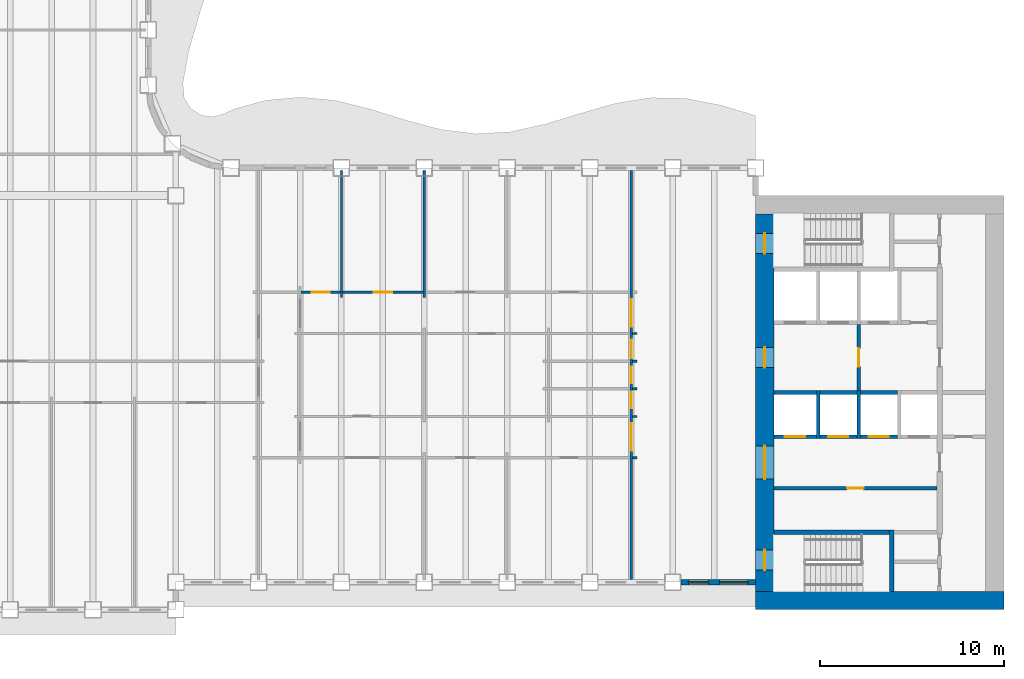
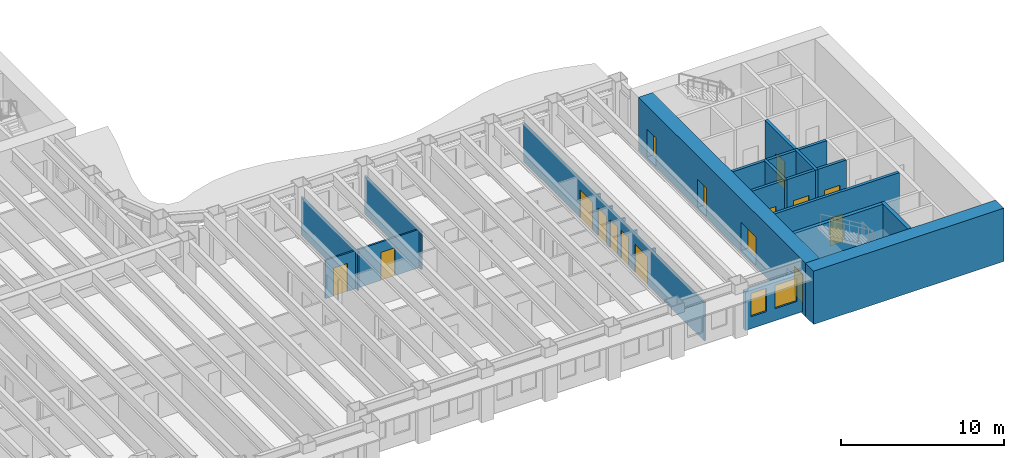
# One storey, part 6 of 16: 25 walls, 16 doors, 2 windows, 18 openings.
"""IFC4 building model written with IfcOpenShell, lengths in metres."""

from ifc_helpers import new_model, si_unit, direction, frame, frame_2d, origin, place, context, subcontext, project, spatial, rectangle, extrude, material, layer, layer_set, type_object, element, fill, save


model = new_model("IFC4")

# Units and contexts
model_context = context("Model", 3, precision=1e-05, world=origin(), true_north=direction((0.0, 1.0)))
body_context = subcontext(model_context, "Body", "Model", "MODEL_VIEW")
ifc_project = project(units=[si_unit("LENGTHUNIT", "METRE"), si_unit("AREAUNIT", "SQUARE_METRE"), si_unit("VOLUMEUNIT", "CUBIC_METRE"), si_unit("PLANEANGLEUNIT", "RADIAN"), si_unit("MASSUNIT", "GRAM", prefix="KILO")], contexts=[model_context])

# Site, building, storey
site_placement = place(None, origin())
site = spatial("IfcSite", under=ifc_project, at=site_placement, CompositionType="ELEMENT")
building_placement = place(site_placement, origin())
building = spatial("IfcBuilding", under=site, at=building_placement, Name="Sennacour Bend Tower", CompositionType="ELEMENT")
storey_placement = place(building_placement, frame((0.0, 0.0, 175.0)))
storey = spatial("IfcBuildingStorey", under=building, at=storey_placement, Name="L40", CompositionType="ELEMENT", Elevation=175.0)

# Wall
ifc_material_1 = material(Name="Concrete C60/75", Category="concrete")
ifc_layer_1 = layer(ifc_material_1, 1.0, Name="Concrete C60/75", Category="concrete")
ifc_layer_set_1 = layer_set([ifc_layer_1], Name="Concrete C60/75")
wall_type_1 = type_object("IfcWallType", Name="Core wall 1000 C60/75", PredefinedType="SHEAR", material=ifc_layer_set_1)
wall_1_placement = place(storey_placement, frame((67.5, 0.5, -0.14990234375), z_axis=(0.0, 0.0, 1.0), x_axis=(-1.0, 0.0, 0.0)))
element("IfcWall", 1, at=wall_1_placement, inside=storey, type_object=wall_type_1, Name="Core A wall L40 S", PredefinedType="SHEAR", context=body_context, shape_type="SweptSolid", body=[
    extrude(rectangle(XDim=13.5, YDim=1.0, at=frame_2d((6.75, 0.0))), origin(), (0.0, 0.0, 1.0), 4.0),
])

# Wall, openings, doors
wall_2_placement = place(storey_placement, frame((54.5, 1.0, -0.14990234375), z_axis=(0.0, 0.0, 1.0), x_axis=(0.0, 1.0, 0.0)))
wall_2 = element("IfcWall", 2, at=wall_2_placement, inside=storey, type_object=wall_type_1, Name="Core A wall L40 W", PredefinedType="SHEAR", context=body_context, shape_type="SweptSolid", body=[
    extrude(rectangle(XDim=20.5, YDim=1.0, at=frame_2d((10.25, 0.0))), origin(), (0.0, 0.0, 1.0), 4.0),
])
opening_1_placement = place(wall_2_placement, frame((6.10009765625, 0.0, 0.14990234375)))
opening_1 = element("IfcOpeningElement", 3, at=opening_1_placement, cuts=wall_2, Name="Opening CD", PredefinedType="OPENING", context=body_context, shape_type="SweptSolid", body=[
    extrude(rectangle(XDim=1.800048828125, YDim=2.10009765625, at=frame_2d((0.89990234375, 1.050048828125))), frame((0.0, 0.510009765625, 0.0), z_axis=(0.0, -1.0, 0.0), x_axis=(1.0, 0.0, 0.0)), (0.0, 0.0, 1.0), 1.02001953125),
])
opening_2_placement = place(wall_2_placement, frame((12.14990234375, 0.0, 0.14990234375)))
opening_2 = element("IfcOpeningElement", 4, at=opening_2_placement, cuts=wall_2, Name="Opening FD", PredefinedType="OPENING", context=body_context, shape_type="SweptSolid", body=[
    extrude(rectangle(XDim=1.10009765625, YDim=2.10009765625, at=frame_2d((0.550048828125, 1.050048828125))), frame((0.0, 0.510009765625, 0.0), z_axis=(0.0, -1.0, 0.0), x_axis=(1.0, 0.0, 0.0)), (0.0, 0.0, 1.0), 1.02001953125),
])
opening_3_placement = place(wall_2_placement, frame((1.14990234375, 0.0, 0.14990234375)))
opening_3 = element("IfcOpeningElement", 5, at=opening_3_placement, cuts=wall_2, Name="Opening SD", PredefinedType="OPENING", context=body_context, shape_type="SweptSolid", body=[
    extrude(rectangle(XDim=1.10009765625, YDim=2.10009765625, at=frame_2d((0.550048828125, 1.050048828125))), frame((0.0, 0.510009765625, 0.0), z_axis=(0.0, -1.0, 0.0), x_axis=(1.0, 0.0, 0.0)), (0.0, 0.0, 1.0), 1.02001953125),
])
opening_4_placement = place(wall_2_placement, frame((18.35009765625, 0.0, 0.14990234375)))
opening_4 = element("IfcOpeningElement", 6, at=opening_4_placement, cuts=wall_2, Name="Opening SD", PredefinedType="OPENING", context=body_context, shape_type="SweptSolid", body=[
    extrude(rectangle(XDim=1.10009765625, YDim=2.10009765625, at=frame_2d((0.550048828125, 1.050048828125))), frame((0.0, 0.510009765625, 0.0), z_axis=(0.0, -1.0, 0.0), x_axis=(1.0, 0.0, 0.0)), (0.0, 0.0, 1.0), 1.02001953125),
])
ifc_material_2 = material(Name="Painted steel", Category="steel")
door_type_1 = type_object("IfcDoorType", Name="DR-FFL-1100", OperationType="NOTDEFINED", PredefinedType="DOOR", material=ifc_material_2)
door_1_placement = place(opening_2_placement, origin())
door_1 = element("IfcDoor", 7, at=door_1_placement, inside=storey, type_object=door_type_1, Name="Door", OperationType="SINGLE_SWING_RIGHT", OverallHeight=2.10009765625, OverallWidth=1.10009765625, PredefinedType="DOOR", context=body_context, shape_type="SweptSolid", body=[
    extrude(rectangle(XDim=1.10009765625, YDim=2.10009765625, at=frame_2d((0.550048828125, 1.050048828125))), frame((0.0, 0.02490234375, 0.0), z_axis=(0.0, -1.0, 0.0), x_axis=(1.0, 0.0, 0.0)), (0.0, 0.0, 1.0), 0.050048828125),
])
fill(opening_2, door_1)
door_type_2 = type_object("IfcDoorType", Name="DR-LOBBY-1800", OperationType="NOTDEFINED", PredefinedType="DOOR", material=ifc_material_2)
door_2_placement = place(opening_1_placement, origin())
door_2 = element("IfcDoor", 8, at=door_2_placement, inside=storey, type_object=door_type_2, Name="Door", OperationType="DOUBLE_DOOR_SINGLE_SWING", OverallHeight=2.10009765625, OverallWidth=1.800048828125, PredefinedType="DOOR", context=body_context, shape_type="SweptSolid", body=[
    extrude(rectangle(XDim=1.800048828125, YDim=2.10009765625, at=frame_2d((0.89990234375, 1.050048828125))), frame((0.0, 0.02490234375, 0.0), z_axis=(0.0, -1.0, 0.0), x_axis=(1.0, 0.0, 0.0)), (0.0, 0.0, 1.0), 0.050048828125),
])
fill(opening_1, door_2)
door_type_3 = type_object("IfcDoorType", Name="DR-STAIR-1100", OperationType="NOTDEFINED", PredefinedType="DOOR", material=ifc_material_2)
door_3_placement = place(opening_3_placement, origin())
door_3 = element("IfcDoor", 9, at=door_3_placement, inside=storey, type_object=door_type_3, Name="Door", OperationType="SINGLE_SWING_LEFT", OverallHeight=2.10009765625, OverallWidth=1.10009765625, PredefinedType="DOOR", context=body_context, shape_type="SweptSolid", body=[
    extrude(rectangle(XDim=1.10009765625, YDim=2.10009765625, at=frame_2d((0.550048828125, 1.050048828125))), frame((0.0, 0.02490234375, 0.0), z_axis=(0.0, -1.0, 0.0), x_axis=(1.0, 0.0, 0.0)), (0.0, 0.0, 1.0), 0.050048828125),
])
fill(opening_3, door_3)
door_4_placement = place(opening_4_placement, origin())
door_4 = element("IfcDoor", 10, at=door_4_placement, inside=storey, type_object=door_type_3, Name="Door", OperationType="SINGLE_SWING_RIGHT", OverallHeight=2.10009765625, OverallWidth=1.10009765625, PredefinedType="DOOR", context=body_context, shape_type="SweptSolid", body=[
    extrude(rectangle(XDim=1.10009765625, YDim=2.10009765625, at=frame_2d((0.550048828125, 1.050048828125))), frame((0.0, 0.02490234375, 0.0), z_axis=(0.0, -1.0, 0.0), x_axis=(1.0, 0.0, 0.0)), (0.0, 0.0, 1.0), 0.050048828125),
])
fill(opening_4, door_4)

# Walls
ifc_material_3 = material(Name="Plasterboard partition on steel studs", Category="steel")
ifc_layer_2 = layer(ifc_material_3, 0.1201171875, Name="Plasterboard partition on steel studs", Category="steel")
ifc_layer_set_2 = layer_set([ifc_layer_2], Name="Plasterboard partition on steel studs")
wall_type_2 = type_object("IfcWallType", Name="Partition 120", PredefinedType="PARTITIONING", material=ifc_layer_set_2)
for number, where, z_axis, x_axis, name in (
    (11, (31.5, 16.949951171875, 0.0), (0.0, 0.0, 1.0), (0.0, 1.0, 0.0), "P-L40-W029a"),
    (12, (36.0, 16.949951171875, 0.0), (0.0, 0.0, 1.0), (0.0, 1.0, 0.0), "P-L40-W032a"),
):
    element("IfcWall", number, at=place(storey_placement, frame(where, z_axis=z_axis, x_axis=x_axis)), inside=storey, type_object=wall_type_2, Name=name, PredefinedType="PARTITIONING", context=body_context, shape_type="SweptSolid", body=[
        extrude(rectangle(XDim=6.900146484375, YDim=0.1201171875, at=frame_2d((3.4501953125, 0.0))), origin(), (0.0, 0.0, 1.0), 2.8701171875),
    ])
for number, where, z_axis, x_axis, name in (
    (13, (47.31005859375, 8.25, 0.0), (0.0, 0.0, 1.0), (1.0, 0.0, 0.0), "P-L40-W060af"),
    (14, (47.31005859375, 10.5, 0.0), (0.0, 0.0, 1.0), (1.0, 0.0, 0.0), "P-L40-W063ae"),
    (15, (47.31005859375, 12.0, 0.0), (0.0, 0.0, 1.0), (1.0, 0.0, 0.0), "P-L40-W067ac"),
    (16, (47.31005859375, 13.5, 0.0), (0.0, 0.0, 1.0), (1.0, 0.0, 0.0), "P-L40-W069ac"),
    (17, (47.31005859375, 15.0, 0.0), (0.0, 0.0, 1.0), (1.0, 0.0, 0.0), "P-L40-W070ae"),
):
    element("IfcWall", number, at=place(storey_placement, frame(where, z_axis=z_axis, x_axis=x_axis)), inside=storey, type_object=wall_type_2, Name=name, PredefinedType="PARTITIONING", context=body_context, shape_type="SweptSolid", body=[
        extrude(rectangle(XDim=0.239990234375, YDim=0.1201171875, at=frame_2d((0.1201171875, 0.0))), origin(), (0.0, 0.0, 1.0), 2.8701171875),
    ])

# Wall, opening, door
wall_3_placement = place(storey_placement, frame((29.31005859375, 17.25, 0.0), z_axis=(0.0, 0.0, 1.0), x_axis=(1.0, 0.0, 0.0)))
wall_3 = element("IfcWall", 18, at=wall_3_placement, inside=storey, type_object=wall_type_2, Name="P-L40-W073ac", PredefinedType="PARTITIONING", context=body_context, shape_type="SweptSolid", body=[
    extrude(rectangle(XDim=2.1298828125, YDim=0.1201171875, at=frame_2d((1.06494140625, 0.0))), origin(), (0.0, 0.0, 1.0), 2.8701171875),
])
opening_5_placement = place(wall_3_placement, frame((0.56494140625, 0.0, 0.0)))
opening_5 = element("IfcOpeningElement", 19, at=opening_5_placement, cuts=wall_3, Name="Opening OD2", PredefinedType="OPENING", context=body_context, shape_type="SweptSolid", body=[
    extrude(rectangle(XDim=1.0, YDim=2.10009765625, at=frame_2d((0.5, 1.050048828125))), frame((0.0, 0.070068359375, 0.0), z_axis=(0.0, -1.0, 0.0), x_axis=(1.0, 0.0, 0.0)), (0.0, 0.0, 1.0), 0.14013671875),
])
ifc_material_4 = material(Name="Timber", Category="wood")
door_type_4 = type_object("IfcDoorType", Name="DR-OFFICE-1000", OperationType="NOTDEFINED", PredefinedType="DOOR", material=ifc_material_4)
door_5_placement = place(opening_5_placement, origin())
door_5 = element("IfcDoor", 20, at=door_5_placement, inside=storey, type_object=door_type_4, Name="Door", OperationType="SINGLE_SWING_LEFT", OverallHeight=2.10009765625, OverallWidth=1.0, PredefinedType="DOOR", context=body_context, shape_type="SweptSolid", body=[
    extrude(rectangle(XDim=1.0, YDim=2.10009765625, at=frame_2d((0.5, 1.050048828125))), frame((0.0, 0.02490234375, 0.0), z_axis=(0.0, -1.0, 0.0), x_axis=(1.0, 0.0, 0.0)), (0.0, 0.0, 1.0), 0.050048828125),
])
fill(opening_5, door_5)

wall_4_placement = place(storey_placement, frame((31.56005859375, 17.25, 0.0), z_axis=(0.0, 0.0, 1.0), x_axis=(1.0, 0.0, 0.0)))
wall_4 = element("IfcWall", 21, at=wall_4_placement, inside=storey, type_object=wall_type_2, Name="P-L40-W073ad", PredefinedType="PARTITIONING", context=body_context, shape_type="SweptSolid", body=[
    extrude(rectangle(XDim=4.3798828125, YDim=0.1201171875, at=frame_2d((2.18994140625, 0.0))), origin(), (0.0, 0.0, 1.0), 2.8701171875),
])
opening_6_placement = place(wall_4_placement, frame((1.68994140625, 0.0, 0.0)))
opening_6 = element("IfcOpeningElement", 22, at=opening_6_placement, cuts=wall_4, Name="Opening OD2", PredefinedType="OPENING", context=body_context, shape_type="SweptSolid", body=[
    extrude(rectangle(XDim=1.0, YDim=2.10009765625, at=frame_2d((0.5, 1.050048828125))), frame((0.0, 0.070068359375, 0.0), z_axis=(0.0, -1.0, 0.0), x_axis=(1.0, 0.0, 0.0)), (0.0, 0.0, 1.0), 0.14013671875),
])
door_6_placement = place(opening_6_placement, origin())
door_6 = element("IfcDoor", 23, at=door_6_placement, inside=storey, type_object=door_type_4, Name="Door", OperationType="SINGLE_SWING_LEFT", OverallHeight=2.10009765625, OverallWidth=1.0, PredefinedType="DOOR", context=body_context, shape_type="SweptSolid", body=[
    extrude(rectangle(XDim=1.0, YDim=2.10009765625, at=frame_2d((0.5, 1.050048828125))), frame((0.0, 0.02490234375, 0.0), z_axis=(0.0, -1.0, 0.0), x_axis=(1.0, 0.0, 0.0)), (0.0, 0.0, 1.0), 0.050048828125),
])
fill(opening_6, door_6)

# Wall, openings, doors
ifc_layer_3 = layer(ifc_material_3, 0.1201171875, Name="Plasterboard partition on steel studs", Category="steel")
ifc_layer_set_3 = layer_set([ifc_layer_3], Name="Plasterboard partition on steel studs")
wall_type_3 = type_object("IfcWallType", Name="Partition 120 EI 30", PredefinedType="PARTITIONING", material=ifc_layer_set_3)
wall_5_placement = place(storey_placement, frame((47.25, 1.64990234375, 0.0), z_axis=(0.0, 0.0, 1.0), x_axis=(0.0, 1.0, 0.0)))
wall_5 = element("IfcWall", 24, at=wall_5_placement, inside=storey, type_object=wall_type_3, Name="P-L40-W036a", PredefinedType="PARTITIONING", context=body_context, shape_type="SweptSolid", body=[
    extrude(rectangle(XDim=22.2001953125, YDim=0.1201171875, at=frame_2d((11.10009765625, 0.0))), origin(), (0.0, 0.0, 1.0), 2.8701171875),
])
opening_7_placement = place(wall_5_placement, frame((6.97509765625, 0.0, 0.0)))
opening_7 = element("IfcOpeningElement", 25, at=opening_7_placement, cuts=wall_5, Name="Opening KD", PredefinedType="OPENING", context=body_context, shape_type="SweptSolid", body=[
    extrude(rectangle(XDim=1.5, YDim=2.10009765625, at=frame_2d((0.75, 1.050048828125))), frame((0.0, 0.070068359375, 0.0), z_axis=(0.0, -1.0, 0.0), x_axis=(1.0, 0.0, 0.0)), (0.0, 0.0, 1.0), 0.14013671875),
])
opening_8_placement = place(wall_5_placement, frame((13.72509765625, 0.0, 0.0)))
opening_8 = element("IfcOpeningElement", 26, at=opening_8_placement, cuts=wall_5, Name="Opening KD", PredefinedType="OPENING", context=body_context, shape_type="SweptSolid", body=[
    extrude(rectangle(XDim=1.5, YDim=2.10009765625, at=frame_2d((0.75, 1.050048828125))), frame((0.0, 0.070068359375, 0.0), z_axis=(0.0, -1.0, 0.0), x_axis=(1.0, 0.0, 0.0)), (0.0, 0.0, 1.0), 0.14013671875),
])
opening_9_placement = place(wall_5_placement, frame((9.2900390625, 0.0, 0.0)))
opening_9 = element("IfcOpeningElement", 27, at=opening_9_placement, cuts=wall_5, Name="Opening WD", PredefinedType="OPENING", context=body_context, shape_type="SweptSolid", body=[
    extrude(rectangle(XDim=0.89990234375, YDim=2.10009765625, at=frame_2d((0.449951171875, 1.050048828125))), frame((0.0, 0.070068359375, 0.0), z_axis=(0.0, -1.0, 0.0), x_axis=(1.0, 0.0, 0.0)), (0.0, 0.0, 1.0), 0.14013671875),
])
opening_10_placement = place(wall_5_placement, frame((10.650146484375, 0.0, 0.0)))
opening_10 = element("IfcOpeningElement", 28, at=opening_10_placement, cuts=wall_5, Name="Opening WD", PredefinedType="OPENING", context=body_context, shape_type="SweptSolid", body=[
    extrude(rectangle(XDim=0.89990234375, YDim=2.10009765625, at=frame_2d((0.449951171875, 1.050048828125))), frame((0.0, 0.070068359375, 0.0), z_axis=(0.0, -1.0, 0.0), x_axis=(1.0, 0.0, 0.0)), (0.0, 0.0, 1.0), 0.14013671875),
])
opening_11_placement = place(wall_5_placement, frame((12.010009765625, 0.0, 0.0)))
opening_11 = element("IfcOpeningElement", 29, at=opening_11_placement, cuts=wall_5, Name="Opening AD", PredefinedType="OPENING", context=body_context, shape_type="SweptSolid", body=[
    extrude(rectangle(XDim=1.0, YDim=2.10009765625, at=frame_2d((0.5, 1.050048828125))), frame((0.0, 0.070068359375, 0.0), z_axis=(0.0, -1.0, 0.0), x_axis=(1.0, 0.0, 0.0)), (0.0, 0.0, 1.0), 0.14013671875),
])
door_type_5 = type_object("IfcDoorType", Name="DR-ACC-WC-1000", OperationType="NOTDEFINED", PredefinedType="DOOR", material=ifc_material_4)
door_7_placement = place(opening_11_placement, origin())
door_7 = element("IfcDoor", 30, at=door_7_placement, inside=storey, type_object=door_type_5, Name="Door", OperationType="SINGLE_SWING_RIGHT", OverallHeight=2.10009765625, OverallWidth=1.0, PredefinedType="DOOR", context=body_context, shape_type="SweptSolid", body=[
    extrude(rectangle(XDim=1.0, YDim=2.10009765625, at=frame_2d((0.5, 1.050048828125))), frame((0.0, 0.02490234375, 0.0), z_axis=(0.0, -1.0, 0.0), x_axis=(1.0, 0.0, 0.0)), (0.0, 0.0, 1.0), 0.050048828125),
])
fill(opening_11, door_7)
door_type_6 = type_object("IfcDoorType", Name="DR-CORRIDOR-1500", OperationType="NOTDEFINED", PredefinedType="DOOR", material=ifc_material_2)
door_8_placement = place(opening_7_placement, origin())
door_8 = element("IfcDoor", 31, at=door_8_placement, inside=storey, type_object=door_type_6, Name="Door", OperationType="SINGLE_SWING_LEFT", OverallHeight=2.10009765625, OverallWidth=1.5, PredefinedType="DOOR", context=body_context, shape_type="SweptSolid", body=[
    extrude(rectangle(XDim=1.5, YDim=2.10009765625, at=frame_2d((0.75, 1.050048828125))), frame((0.0, 0.02490234375, 0.0), z_axis=(0.0, -1.0, 0.0), x_axis=(1.0, 0.0, 0.0)), (0.0, 0.0, 1.0), 0.050048828125),
])
fill(opening_7, door_8)
door_9_placement = place(opening_8_placement, origin())
door_9 = element("IfcDoor", 32, at=door_9_placement, inside=storey, type_object=door_type_6, Name="Door", OperationType="SINGLE_SWING_RIGHT", OverallHeight=2.10009765625, OverallWidth=1.5, PredefinedType="DOOR", context=body_context, shape_type="SweptSolid", body=[
    extrude(rectangle(XDim=1.5, YDim=2.10009765625, at=frame_2d((0.75, 1.050048828125))), frame((0.0, 0.02490234375, 0.0), z_axis=(0.0, -1.0, 0.0), x_axis=(1.0, 0.0, 0.0)), (0.0, 0.0, 1.0), 0.050048828125),
])
fill(opening_8, door_9)
door_type_7 = type_object("IfcDoorType", Name="DR-WC-900", OperationType="NOTDEFINED", PredefinedType="DOOR", material=ifc_material_4)
door_10_placement = place(opening_9_placement, origin())
door_10 = element("IfcDoor", 33, at=door_10_placement, inside=storey, type_object=door_type_7, Name="Door", OperationType="SINGLE_SWING_LEFT", OverallHeight=2.10009765625, OverallWidth=0.89990234375, PredefinedType="DOOR", context=body_context, shape_type="SweptSolid", body=[
    extrude(rectangle(XDim=0.89990234375, YDim=2.10009765625, at=frame_2d((0.449951171875, 1.050048828125))), frame((0.0, 0.02490234375, 0.0), z_axis=(0.0, -1.0, 0.0), x_axis=(1.0, 0.0, 0.0)), (0.0, 0.0, 1.0), 0.050048828125),
])
fill(opening_9, door_10)
door_11_placement = place(opening_10_placement, origin())
door_11 = element("IfcDoor", 34, at=door_11_placement, inside=storey, type_object=door_type_7, Name="Door", OperationType="SINGLE_SWING_RIGHT", OverallHeight=2.10009765625, OverallWidth=0.89990234375, PredefinedType="DOOR", context=body_context, shape_type="SweptSolid", body=[
    extrude(rectangle(XDim=0.89990234375, YDim=2.10009765625, at=frame_2d((0.449951171875, 1.050048828125))), frame((0.0, 0.02490234375, 0.0), z_axis=(0.0, -1.0, 0.0), x_axis=(1.0, 0.0, 0.0)), (0.0, 0.0, 1.0), 0.050048828125),
])
fill(opening_10, door_11)

# Wall, opening, door
ifc_material_5 = material(Name="Fire-rated plasterboard partition on steel studs", Category="steel")
ifc_layer_4 = layer(ifc_material_5, 0.199951171875, Name="Fire-rated plasterboard partition on steel studs", Category="steel")
ifc_layer_set_4 = layer_set([ifc_layer_4], Name="Fire-rated plasterboard partition on steel studs")
wall_type_4 = type_object("IfcWallType", Name="Rated partition 200", PredefinedType="PARTITIONING", material=ifc_layer_set_4)
wall_6_placement = place(storey_placement, frame((55.0, 6.60009765625, 0.0), z_axis=(0.0, 0.0, 1.0), x_axis=(1.0, 0.0, 0.0)))
wall_6 = element("IfcWall", 35, at=wall_6_placement, inside=storey, type_object=wall_type_4, Name="P-L40-W059", PredefinedType="PARTITIONING", context=body_context, shape_type="SweptSolid", body=[
    extrude(rectangle(XDim=8.85009765625, YDim=0.199951171875, at=frame_2d((4.425048828125, 0.0))), origin(), (0.0, 0.0, 1.0), 3.85009765625),
])
opening_12_placement = place(wall_6_placement, frame((3.97509765625, 0.0, 0.0)))
opening_12 = element("IfcOpeningElement", 36, at=opening_12_placement, cuts=wall_6, Name="Opening SV", PredefinedType="OPENING", context=body_context, shape_type="SweptSolid", body=[
    extrude(rectangle(XDim=0.89990234375, YDim=2.10009765625, at=frame_2d((0.449951171875, 1.050048828125))), frame((0.0, 0.10986328125, 0.0), z_axis=(0.0, -1.0, 0.0), x_axis=(1.0, 0.0, 0.0)), (0.0, 0.0, 1.0), 0.219970703125),
])
door_type_8 = type_object("IfcDoorType", Name="DR-SERVICE-900", OperationType="NOTDEFINED", PredefinedType="DOOR", material=ifc_material_2)
door_12_placement = place(opening_12_placement, origin())
door_12 = element("IfcDoor", 37, at=door_12_placement, inside=storey, type_object=door_type_8, Name="Door", OperationType="SINGLE_SWING_LEFT", OverallHeight=2.10009765625, OverallWidth=0.89990234375, PredefinedType="DOOR", context=body_context, shape_type="SweptSolid", body=[
    extrude(rectangle(XDim=0.89990234375, YDim=2.10009765625, at=frame_2d((0.449951171875, 1.050048828125))), frame((0.0, 0.02490234375, 0.0), z_axis=(0.0, -1.0, 0.0), x_axis=(1.0, 0.0, 0.0)), (0.0, 0.0, 1.0), 0.050048828125),
])
fill(opening_12, door_12)

ifc_layer_5 = layer(ifc_material_5, 0.199951171875, Name="Fire-rated plasterboard partition on steel studs", Category="steel")
ifc_layer_set_5 = layer_set([ifc_layer_5], Name="Fire-rated plasterboard partition on steel studs")
wall_type_5 = type_object("IfcWallType", Name="Rated partition 200 EI 90", PredefinedType="PARTITIONING", material=ifc_layer_set_5)
wall_7_placement = place(storey_placement, frame((59.60009765625, 11.89990234375, 0.0), z_axis=(0.0, 0.0, 1.0), x_axis=(0.0, 1.0, 0.0)))
wall_7 = element("IfcWall", 38, at=wall_7_placement, inside=storey, type_object=wall_type_5, Name="P-L40-W041", PredefinedType="PARTITIONING", context=body_context, shape_type="SweptSolid", body=[
    extrude(rectangle(XDim=3.60009765625, YDim=0.199951171875, at=frame_2d((1.800048828125, 0.0))), origin(), (0.0, 0.0, 1.0), 3.85009765625),
])
opening_13_placement = place(wall_7_placement, frame((1.300048828125, 0.0, 0.0)))
opening_13 = element("IfcOpeningElement", 39, at=opening_13_placement, cuts=wall_7, Name="Opening FD2", PredefinedType="OPENING", context=body_context, shape_type="SweptSolid", body=[
    extrude(rectangle(XDim=1.0, YDim=2.10009765625, at=frame_2d((0.5, 1.050048828125))), frame((0.0, 0.10986328125, 0.0), z_axis=(0.0, -1.0, 0.0), x_axis=(1.0, 0.0, 0.0)), (0.0, 0.0, 1.0), 0.219970703125),
])
door_type_9 = type_object("IfcDoorType", Name="DR-FFL-1000", OperationType="NOTDEFINED", PredefinedType="DOOR", material=ifc_material_2)
door_13_placement = place(opening_13_placement, origin())
door_13 = element("IfcDoor", 40, at=door_13_placement, inside=storey, type_object=door_type_9, Name="Door", OperationType="SINGLE_SWING_LEFT", OverallHeight=2.10009765625, OverallWidth=1.0, PredefinedType="DOOR", context=body_context, shape_type="SweptSolid", body=[
    extrude(rectangle(XDim=1.0, YDim=2.10009765625, at=frame_2d((0.5, 1.050048828125))), frame((0.0, 0.02490234375, 0.0), z_axis=(0.0, -1.0, 0.0), x_axis=(1.0, 0.0, 0.0)), (0.0, 0.0, 1.0), 0.050048828125),
])
fill(opening_13, door_13)

# Wall, openings, windows
ifc_material_6 = material(Name="Warm limestone cladding", Category="masonry")
ifc_layer_6 = layer(ifc_material_6, 0.050048828125, Name="Warm limestone cladding", Category="masonry")
ifc_material_7 = material(Name="Precast concrete C40/50", Category="concrete")
ifc_layer_7 = layer(ifc_material_7, 0.25, Name="Precast concrete C40/50", Category="concrete")
ifc_layer_set_6 = layer_set([ifc_layer_6, ifc_layer_7], Name="Precast concrete C40/50 with limestone cladding")
wall_type_6 = type_object("IfcWallType", Name="STONE-CLAD PRECAST SPANDREL 300", PredefinedType="STANDARD", material=ifc_layer_set_6)
wall_8_placement = place(storey_placement, frame((49.949951171875, 1.5, 0.0), z_axis=(0.0, 0.0, 1.0), x_axis=(1.0, 0.0, 0.0)))
wall_8 = element("IfcWall", 41, at=wall_8_placement, inside=storey, type_object=wall_type_6, Name="Stone spandrel and pier wall L40 02.06", PredefinedType="STANDARD", context=body_context, shape_type="SweptSolid", body=[
    extrude(rectangle(XDim=4.050048828125, YDim=0.300048828125, at=frame_2d((2.02490234375, 0.0))), origin(), (0.0, 0.0, 1.0), 2.8701171875),
])
opening_14_placement = place(wall_8_placement, frame((0.39990234375, 0.0, 0.89990234375)))
opening_14 = element("IfcOpeningElement", 42, at=opening_14_placement, cuts=wall_8, Name="Opening W17", PredefinedType="OPENING", context=body_context, shape_type="SweptSolid", body=[
    extrude(rectangle(XDim=1.10009765625, YDim=1.75, at=frame_2d((0.550048828125, 0.875))), frame((0.0, 0.16015625, 0.0), z_axis=(0.0, -1.0, 0.0), x_axis=(1.0, 0.0, 0.0)), (0.0, 0.0, 1.0), 0.320068359375),
])
opening_15_placement = place(wall_8_placement, frame((2.10009765625, 0.0, 0.89990234375)))
opening_15 = element("IfcOpeningElement", 43, at=opening_15_placement, cuts=wall_8, Name="Opening W12", PredefinedType="OPENING", context=body_context, shape_type="SweptSolid", body=[
    extrude(rectangle(XDim=1.550048828125, YDim=1.75, at=frame_2d((0.77490234375, 0.875))), frame((0.0, 0.16015625, 0.0), z_axis=(0.0, -1.0, 0.0), x_axis=(1.0, 0.0, 0.0)), (0.0, 0.0, 1.0), 0.320068359375),
])
ifc_material_8 = material(Name="Clear low-emissivity glass", Category="glass")
window_type_1 = type_object("IfcWindowType", Name="WIN-RIBBON-1100x1750", PartitioningType="SINGLE_PANEL", PredefinedType="WINDOW", material=ifc_material_8)
window_1_placement = place(opening_14_placement, origin())
window_1 = element("IfcWindow", 44, at=window_1_placement, inside=storey, type_object=window_type_1, Name="Ribbon window L40 02.06.0", OverallHeight=1.75, OverallWidth=1.10009765625, PartitioningType="SINGLE_PANEL", PredefinedType="WINDOW", context=body_context, shape_type="SweptSolid", body=[
    extrude(rectangle(XDim=1.10009765625, YDim=1.75, at=frame_2d((0.550048828125, 0.875))), frame((0.0, 0.030029296875, 0.0), z_axis=(0.0, -1.0, 0.0), x_axis=(1.0, 0.0, 0.0)), (0.0, 0.0, 1.0), 0.06005859375),
])
fill(opening_14, window_1)
window_type_2 = type_object("IfcWindowType", Name="WIN-RIBBON-1550x1750", PartitioningType="SINGLE_PANEL", PredefinedType="WINDOW", material=ifc_material_8)
window_2_placement = place(opening_15_placement, origin())
window_2 = element("IfcWindow", 45, at=window_2_placement, inside=storey, type_object=window_type_2, Name="Ribbon window L40 02.06.1", OverallHeight=1.75, OverallWidth=1.550048828125, PartitioningType="SINGLE_PANEL", PredefinedType="WINDOW", context=body_context, shape_type="SweptSolid", body=[
    extrude(rectangle(XDim=1.550048828125, YDim=1.75, at=frame_2d((0.77490234375, 0.875))), frame((0.0, 0.030029296875, 0.0), z_axis=(0.0, -1.0, 0.0), x_axis=(1.0, 0.0, 0.0)), (0.0, 0.0, 1.0), 0.06005859375),
])
fill(opening_15, window_2)

# Walls
ifc_material_9 = material(Name="Concrete C50/60", Category="concrete")
ifc_layer_8 = layer(ifc_material_9, 0.199951171875, Name="Concrete C50/60", Category="concrete")
ifc_layer_set_7 = layer_set([ifc_layer_8], Name="Concrete C50/60")
wall_type_7 = type_object("IfcWallType", Name="Shaft wall 200", PredefinedType="SOLIDWALL", material=ifc_layer_set_7)
for number, where, z_axis, x_axis, name in (
    (46, (57.39990234375, 9.300048828125, 0.0), (0.0, 0.0, 1.0), (0.0, 1.0, 0.0), "P-L40-W038"),
    (47, (59.60009765625, 9.300048828125, 0.0), (0.0, 0.0, 1.0), (0.0, 1.0, 0.0), "P-L40-W040"),
):
    element("IfcWall", number, at=place(storey_placement, frame(where, z_axis=z_axis, x_axis=x_axis)), inside=storey, type_object=wall_type_7, Name=name, PredefinedType="SOLIDWALL", context=body_context, shape_type="SweptSolid", body=[
        extrude(rectangle(XDim=2.599853515625, YDim=0.199951171875, at=frame_2d((1.2998046875, 0.0))), origin(), (0.0, 0.0, 1.0), 3.85009765625),
    ])

# Wall, opening, door
wall_9_placement = place(storey_placement, frame((55.0, 9.39990234375, 0.0), z_axis=(0.0, 0.0, 1.0), x_axis=(1.0, 0.0, 0.0)))
wall_9 = element("IfcWall", 48, at=wall_9_placement, inside=storey, type_object=wall_type_7, Name="P-L40-W061a", PredefinedType="SOLIDWALL", context=body_context, shape_type="SweptSolid", body=[
    extrude(rectangle(XDim=2.300048828125, YDim=0.199951171875, at=frame_2d((1.14990234375, 0.0))), origin(), (0.0, 0.0, 1.0), 3.85009765625),
])
opening_16_placement = place(wall_9_placement, frame((0.60009765625, 0.0, 0.011962890625)))
opening_16 = element("IfcOpeningElement", 49, at=opening_16_placement, cuts=wall_9, Name="Opening LD", PredefinedType="OPENING", context=body_context, shape_type="SweptSolid", body=[
    extrude(rectangle(XDim=1.10009765625, YDim=2.10009765625, at=frame_2d((0.550048828125, 1.050048828125))), frame((0.0, 0.10986328125, 0.0), z_axis=(0.0, -1.0, 0.0), x_axis=(1.0, 0.0, 0.0)), (0.0, 0.0, 1.0), 0.219970703125),
])
ifc_material_10 = material(Name="Stainless steel", Category="steel")
door_type_10 = type_object("IfcDoorType", Name="DR-LANDING-1100", OperationType="NOTDEFINED", PredefinedType="DOOR", material=ifc_material_10)
door_14_placement = place(opening_16_placement, origin())
door_14 = element("IfcDoor", 50, at=door_14_placement, inside=storey, type_object=door_type_10, Name="Lift landing door HA1", OperationType="SLIDING_TO_LEFT", OverallHeight=2.10009765625, OverallWidth=1.10009765625, PredefinedType="DOOR", context=body_context, shape_type="SweptSolid", body=[
    extrude(rectangle(XDim=1.10009765625, YDim=2.10009765625, at=frame_2d((0.550048828125, 1.050048828125))), frame((0.0, 0.02490234375, 0.0), z_axis=(0.0, -1.0, 0.0), x_axis=(1.0, 0.0, 0.0)), (0.0, 0.0, 1.0), 0.050048828125),
])
fill(opening_16, door_14)

wall_10_placement = place(storey_placement, frame((57.5, 9.39990234375, 0.0), z_axis=(0.0, 0.0, 1.0), x_axis=(1.0, 0.0, 0.0)))
wall_10 = element("IfcWall", 51, at=wall_10_placement, inside=storey, type_object=wall_type_7, Name="P-L40-W061b", PredefinedType="SOLIDWALL", context=body_context, shape_type="SweptSolid", body=[
    extrude(rectangle(XDim=2.0, YDim=0.199951171875, at=frame_2d((1.0, 0.0))), origin(), (0.0, 0.0, 1.0), 3.85009765625),
])
opening_17_placement = place(wall_10_placement, frame((0.449951171875, 0.0, 0.011962890625)))
opening_17 = element("IfcOpeningElement", 52, at=opening_17_placement, cuts=wall_10, Name="Opening LD", PredefinedType="OPENING", context=body_context, shape_type="SweptSolid", body=[
    extrude(rectangle(XDim=1.10009765625, YDim=2.10009765625, at=frame_2d((0.550048828125, 1.050048828125))), frame((0.0, 0.10986328125, 0.0), z_axis=(0.0, -1.0, 0.0), x_axis=(1.0, 0.0, 0.0)), (0.0, 0.0, 1.0), 0.219970703125),
])
door_15_placement = place(opening_17_placement, origin())
door_15 = element("IfcDoor", 53, at=door_15_placement, inside=storey, type_object=door_type_10, Name="Lift landing door HA2", OperationType="SLIDING_TO_RIGHT", OverallHeight=2.10009765625, OverallWidth=1.10009765625, PredefinedType="DOOR", context=body_context, shape_type="SweptSolid", body=[
    extrude(rectangle(XDim=1.10009765625, YDim=2.10009765625, at=frame_2d((0.550048828125, 1.050048828125))), frame((0.0, 0.02490234375, 0.0), z_axis=(0.0, -1.0, 0.0), x_axis=(1.0, 0.0, 0.0)), (0.0, 0.0, 1.0), 0.050048828125),
])
fill(opening_17, door_15)

wall_11_placement = place(storey_placement, frame((59.699951171875, 9.39990234375, 0.0), z_axis=(0.0, 0.0, 1.0), x_axis=(1.0, 0.0, 0.0)))
wall_11 = element("IfcWall", 54, at=wall_11_placement, inside=storey, type_object=wall_type_7, Name="P-L40-W061c", PredefinedType="SOLIDWALL", context=body_context, shape_type="SweptSolid", body=[
    extrude(rectangle(XDim=2.0, YDim=0.199951171875, at=frame_2d((1.0, 0.0))), origin(), (0.0, 0.0, 1.0), 3.85009765625),
])
opening_18_placement = place(wall_11_placement, frame((0.449951171875, 0.0, 0.011962890625)))
opening_18 = element("IfcOpeningElement", 55, at=opening_18_placement, cuts=wall_11, Name="Opening LD", PredefinedType="OPENING", context=body_context, shape_type="SweptSolid", body=[
    extrude(rectangle(XDim=1.10009765625, YDim=2.10009765625, at=frame_2d((0.550048828125, 1.050048828125))), frame((0.0, 0.10986328125, 0.0), z_axis=(0.0, -1.0, 0.0), x_axis=(1.0, 0.0, 0.0)), (0.0, 0.0, 1.0), 0.219970703125),
])
door_16_placement = place(opening_18_placement, origin())
door_16 = element("IfcDoor", 56, at=door_16_placement, inside=storey, type_object=door_type_10, Name="Lift landing door HA3", OperationType="SLIDING_TO_LEFT", OverallHeight=2.10009765625, OverallWidth=1.10009765625, PredefinedType="DOOR", context=body_context, shape_type="SweptSolid", body=[
    extrude(rectangle(XDim=1.10009765625, YDim=2.10009765625, at=frame_2d((0.550048828125, 1.050048828125))), frame((0.0, 0.02490234375, 0.0), z_axis=(0.0, -1.0, 0.0), x_axis=(1.0, 0.0, 0.0)), (0.0, 0.0, 1.0), 0.050048828125),
])
fill(opening_18, door_16)

# Walls
wall_12_placement = place(storey_placement, frame((55.0, 11.800048828125, 0.0), z_axis=(0.0, 0.0, 1.0), x_axis=(1.0, 0.0, 0.0)))
element("IfcWall", 57, at=wall_12_placement, inside=storey, type_object=wall_type_7, Name="P-L40-W065a", PredefinedType="SOLIDWALL", context=body_context, shape_type="SweptSolid", body=[
    extrude(rectangle(XDim=2.300048828125, YDim=0.199951171875, at=frame_2d((1.14990234375, 0.0))), origin(), (0.0, 0.0, 1.0), 3.85009765625),
])
for number, where, z_axis, x_axis, name in (
    (58, (57.5, 11.800048828125, 0.0), (0.0, 0.0, 1.0), (1.0, 0.0, 0.0), "P-L40-W065b"),
    (59, (59.699951171875, 11.800048828125, 0.0), (0.0, 0.0, 1.0), (1.0, 0.0, 0.0), "P-L40-W065c"),
):
    element("IfcWall", number, at=place(storey_placement, frame(where, z_axis=z_axis, x_axis=x_axis)), inside=storey, type_object=wall_type_7, Name=name, PredefinedType="SOLIDWALL", context=body_context, shape_type="SweptSolid", body=[
        extrude(rectangle(XDim=2.0, YDim=0.199951171875, at=frame_2d((1.0, 0.0))), origin(), (0.0, 0.0, 1.0), 3.85009765625),
    ])
ifc_layer_9 = layer(ifc_material_1, 0.25, Name="Concrete C60/75", Category="concrete")
ifc_layer_set_8 = layer_set([ifc_layer_9], Name="Concrete C60/75")
wall_type_8 = type_object("IfcWallType", Name="Stair wall 250", PredefinedType="SHEAR", material=ifc_layer_set_8)
wall_13_placement = place(storey_placement, frame((61.39990234375, 1.0, 0.0), z_axis=(0.0, 0.0, 1.0), x_axis=(0.0, 1.0, 0.0)))
element("IfcWall", 60, at=wall_13_placement, inside=storey, type_object=wall_type_8, Name="P-L40-W043", PredefinedType="SHEAR", context=body_context, shape_type="SweptSolid", body=[
    extrude(rectangle(XDim=3.324951171875, YDim=0.25, at=frame_2d((1.66259765625, 0.0))), origin(), (0.0, 0.0, 1.0), 3.85009765625),
])
wall_14_placement = place(storey_placement, frame((55.0, 4.199951171875, 0.0), z_axis=(0.0, 0.0, 1.0), x_axis=(1.0, 0.0, 0.0)))
element("IfcWall", 61, at=wall_14_placement, inside=storey, type_object=wall_type_8, Name="P-L40-W057", PredefinedType="SHEAR", context=body_context, shape_type="SweptSolid", body=[
    extrude(rectangle(XDim=6.27490234375, YDim=0.25, at=frame_2d((3.137451171875, 0.0))), origin(), (0.0, 0.0, 1.0), 3.85009765625),
])

save(model, "model.ifc")
